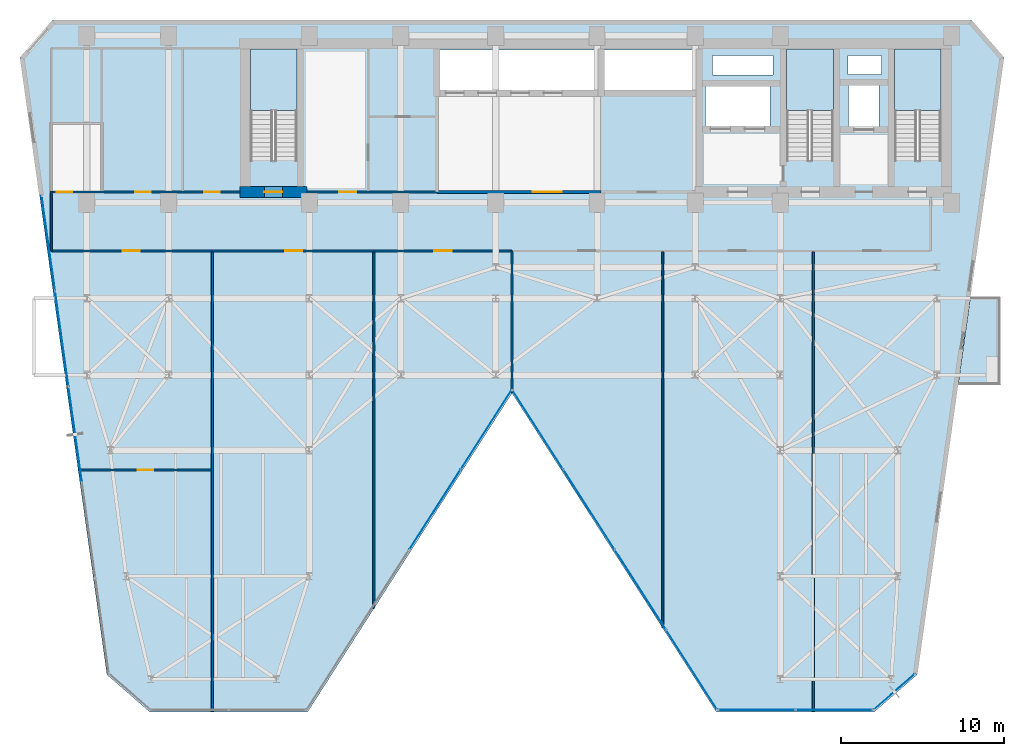
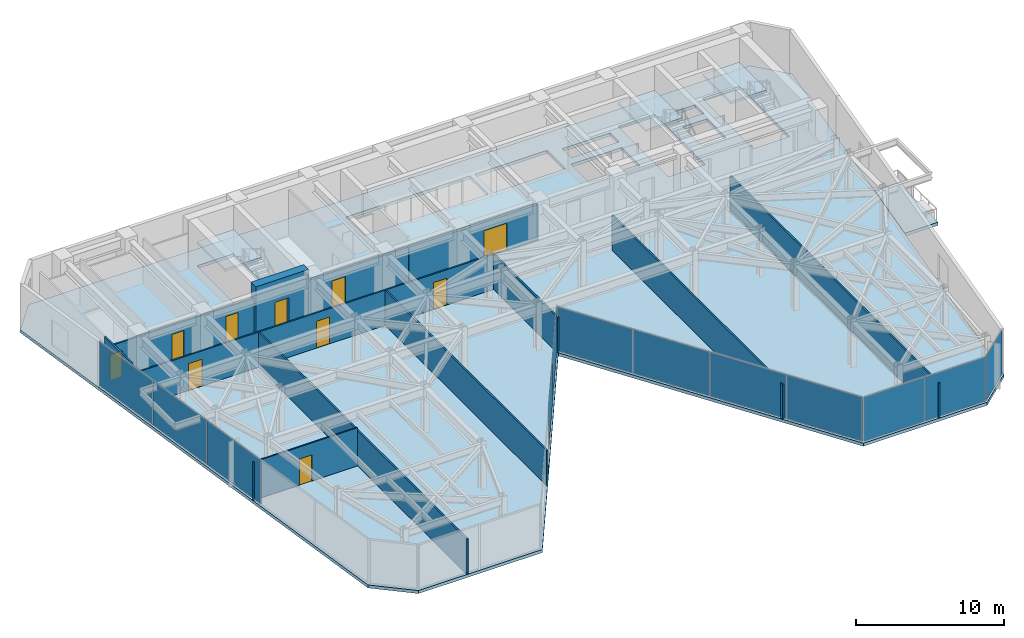
# One storey, part 21 of 26: 12 plates, 12 walls, 10 doors, 5 slabs, 10 openings, 8 elements without a shape of their own.
"""IFC4 building model written with IfcOpenShell, lengths in metres."""

from ifc_helpers import new_model, si_unit, direction, frame, frame_2d, origin, origin_2d, place, context, subcontext, project, spatial, polyline, rectangle, outline, extrude, material, layer, layer_set, type_object, element, fill, aggregate, save


model = new_model("IFC4")

# Units and contexts
model_context = context("Model", 3, precision=1e-05, world=origin(), true_north=direction((0.0, 1.0)))
body_context = subcontext(model_context, "Body", "Model", "MODEL_VIEW")
ifc_project = project(units=[si_unit("LENGTHUNIT", "METRE"), si_unit("AREAUNIT", "SQUARE_METRE"), si_unit("VOLUMEUNIT", "CUBIC_METRE"), si_unit("PLANEANGLEUNIT", "RADIAN"), si_unit("MASSUNIT", "GRAM", prefix="KILO")], contexts=[model_context])

# Site, building, storey
site_placement = place(None, origin())
site = spatial("IfcSite", under=ifc_project, at=site_placement, CompositionType="ELEMENT")
building_placement = place(site_placement, origin())
building = spatial("IfcBuilding", under=site, at=building_placement, Name="Kravanh Interchange Tower", CompositionType="ELEMENT")
storey_placement = place(building_placement, frame((0.0, 0.0, 100.0)))
storey = spatial("IfcBuildingStorey", under=building, at=storey_placement, Name="L23", CompositionType="ELEMENT", Elevation=100.0)

# Slab
ifc_material_1 = material(Name="Concrete C50/60", Category="concrete")
ifc_layer_1 = layer(ifc_material_1, 0.25)
ifc_layer_set_1 = layer_set([ifc_layer_1], Name="Composite Floor Slab Concrete C50/60 250mm")
slab_type_1 = type_object("IfcSlabType", Name="Composite Floor Slab Concrete C50/60 250mm", PredefinedType="FLOOR", material=ifc_layer_set_1)
slab_1_placement = place(storey_placement, frame((0.0, 0.0, -0.25)))
element("IfcSlab", 1, at=slab_1_placement, inside=storey, type_object=slab_type_1, Name="L23 Structural Floor Slab", PredefinedType="FLOOR", context=body_context, shape_type="SweptSolid", body=[
    extrude(outline(polyline([(14.82470703125, 8.4775390625), (17.44482421875, 6.199951171875), (27.10009765625, 6.199951171875), (39.60009765625, 25.699951171875), (52.10009765625, 6.199951171875), (61.755126953125, 6.199951171875), (64.375244140625, 8.4775390625), (69.679931640625, 46.222412109375), (67.699951171875, 48.5), (11.5, 48.5), (9.52001953125, 46.222412109375), (14.82470703125, 8.4775390625)]), holes=[polyline([(65.85009765625, 39.925048828125), (65.85009765625, 46.75), (63.0, 46.75), (63.0, 39.925048828125), (65.85009765625, 39.925048828125)]), polyline([(59.25, 39.925048828125), (59.25, 46.75), (56.39990234375, 46.75), (56.39990234375, 39.925048828125), (59.25, 39.925048828125)]), polyline([(26.449951171875, 39.925048828125), (26.449951171875, 46.75), (23.60009765625, 46.75), (23.60009765625, 39.925048828125), (26.449951171875, 39.925048828125)]), polyline([(35.179931640625, 44.219970703125), (44.840087890625, 44.219970703125), (44.840087890625, 46.699951171875), (35.179931640625, 46.699951171875), (35.179931640625, 44.219970703125)]), polyline([(45.239990234375, 44.219970703125), (50.840087890625, 44.219970703125), (50.840087890625, 46.699951171875), (45.239990234375, 46.699951171875), (45.239990234375, 44.219970703125)]), polyline([(51.419921875, 42.02001953125), (55.3798828125, 42.02001953125), (55.3798828125, 44.47998046875), (51.419921875, 44.47998046875), (51.419921875, 42.02001953125)]), polyline([(60.179931640625, 41.97998046875), (62.06005859375, 41.97998046875), (62.06005859375, 44.52001953125), (60.179931640625, 44.52001953125), (60.179931640625, 41.97998046875)]), polyline([(60.14990234375, 45.199951171875), (62.199951171875, 45.199951171875), (62.199951171875, 46.35009765625), (60.14990234375, 46.35009765625), (60.14990234375, 45.199951171875)]), polyline([(51.85009765625, 45.14990234375), (55.550048828125, 45.14990234375), (55.550048828125, 46.35009765625), (51.85009765625, 46.35009765625), (51.85009765625, 45.14990234375)])]), origin(), (0.0, 0.0, 1.0), 0.25),
])

# Stair, slab
ifc_material_2 = material(Name="Concrete C50/60", Category="concrete")
stair_type = type_object("IfcStairType", Name="Core Fire Exit Dogleg Stair Concrete C50/60", PredefinedType="HALF_TURN_STAIR", material=ifc_material_2)
stair_1_placement = place(storey_placement, origin())
stair_1 = element("IfcStair", 2, at=stair_1_placement, inside=storey, type_object=stair_type, Name="L23 Exit Stair ST1", PredefinedType="HALF_TURN_STAIR")
ifc_material_3 = material(Name="Concrete C50/60", Category="concrete")
ifc_layer_2 = layer(ifc_material_3, 0.199951171875)
ifc_layer_set_2 = layer_set([ifc_layer_2], Name="Concrete C50/60 Stair Half-Landing Slab 200mm")
slab_type_2 = type_object("IfcSlabType", Name="Concrete C50/60 Stair Half-Landing Slab 200mm", PredefinedType="LANDING", material=ifc_layer_set_2)
slab_2_placement = place(storey_placement, frame((0.0, 0.0, 1.800048828125)))
slab_2 = element("IfcSlab", 3, at=slab_2_placement, type_object=slab_type_2, Name="ST1 landing 1", PredefinedType="LANDING", context=body_context, shape_type="SweptSolid", body=[
    extrude(outline(polyline([(65.85009765625, 42.97998046875), (65.85009765625, 46.75), (63.0, 46.75), (63.0, 42.97998046875), (65.85009765625, 42.97998046875)])), origin(), (0.0, 0.0, 1.0), 0.199951171875),
])
aggregate(stair_1, [slab_2])

stair_2_placement = place(storey_placement, origin())
stair_2 = element("IfcStair", 4, at=stair_2_placement, inside=storey, type_object=stair_type, Name="L23 Exit Stair ST2", PredefinedType="HALF_TURN_STAIR")
slab_3_placement = place(storey_placement, frame((0.0, 0.0, 1.800048828125)))
slab_3 = element("IfcSlab", 5, at=slab_3_placement, type_object=slab_type_2, Name="ST2 landing 1", PredefinedType="LANDING", context=body_context, shape_type="SweptSolid", body=[
    extrude(outline(polyline([(59.25, 42.97998046875), (59.25, 46.75), (56.39990234375, 46.75), (56.39990234375, 42.97998046875), (59.25, 42.97998046875)])), origin(), (0.0, 0.0, 1.0), 0.199951171875),
])
aggregate(stair_2, [slab_3])

stair_3_placement = place(storey_placement, origin())
stair_3 = element("IfcStair", 6, at=stair_3_placement, inside=storey, type_object=stair_type, Name="L23 Exit Stair ST3", PredefinedType="HALF_TURN_STAIR")
slab_4_placement = place(storey_placement, frame((0.0, 0.0, 1.800048828125)))
slab_4 = element("IfcSlab", 7, at=slab_4_placement, type_object=slab_type_2, Name="ST3 landing 1", PredefinedType="LANDING", context=body_context, shape_type="SweptSolid", body=[
    extrude(outline(polyline([(26.449951171875, 42.97998046875), (26.449951171875, 46.75), (23.60009765625, 46.75), (23.60009765625, 42.97998046875), (26.449951171875, 42.97998046875)])), origin(), (0.0, 0.0, 1.0), 0.199951171875),
])
aggregate(stair_3, [slab_4])

# Slab
ifc_material_4 = material(Name="Concrete C50/60", Category="concrete")
ifc_layer_3 = layer(ifc_material_4, 0.199951171875)
ifc_layer_set_3 = layer_set([ifc_layer_3], Name="Planted Tree Balcony Slab Concrete C50/60 200mm")
slab_type_3 = type_object("IfcSlabType", Name="Planted Tree Balcony Slab Concrete C50/60 200mm", PredefinedType="USERDEFINED", material=ifc_layer_set_3)
slab_5_placement = place(storey_placement, frame((0.0, 0.0, -0.25)))
element("IfcSlab", 8, at=slab_5_placement, inside=storey, type_object=slab_type_3, Name="L23 East Tree Planter Balcony Slab", ObjectType="BALCONY", PredefinedType="USERDEFINED", context=body_context, shape_type="SweptSolid", body=[
    extrude(outline(polyline([(69.472900390625, 31.590087890625), (69.472900390625, 26.18994140625), (66.879638671875, 26.18994140625), (67.638671875, 31.590087890625), (69.472900390625, 31.590087890625)])), origin(), (0.0, 0.0, 1.0), 0.25),
])

# Curtain wall, plates
ifc_material_5 = material(Name="Anodised Bronze Aluminium", Category="aluminium")
ifc_layer_4 = layer(ifc_material_5, 0.179931640625)
ifc_layer_set_4 = layer_set([ifc_layer_4], Name="Unitised Curtain Wall System CW-Z2 Mid Office")
curtain_wall_type = type_object("IfcCurtainWallType", Name="Unitised Curtain Wall System CW-Z2 Mid Office", PredefinedType="NOTDEFINED", material=ifc_layer_set_4)
curtain_wall_1_placement = place(storey_placement, origin())
curtain_wall_1 = element("IfcCurtainWall", 9, at=curtain_wall_1_placement, inside=storey, type_object=curtain_wall_type, Name="L23 Unitised Curtain Wall CW-L23-01", PredefinedType="NOTDEFINED")
ifc_material_6 = material(Name="Low-E Laminated Architectural Glass", Category="glass")
ifc_layer_5 = layer(ifc_material_6, 0.02587890625)
ifc_layer_set_5 = layer_set([ifc_layer_5], Name="Solar-Control Double Glazing 26mm")
plate_type = type_object("IfcPlateType", Name="Solar-Control Double Glazing 26mm", PredefinedType="CURTAIN_PANEL", material=ifc_layer_set_5)
plate_1_placement = place(storey_placement, frame((12.881103515625, 23.16943359375, 0.06005859375), z_axis=(0.0, 0.0, 1.0), x_axis=(-0.13917285118, 0.990268103846, 0.0)))
plate_1 = element("IfcPlate", 10, at=plate_1_placement, type_object=plate_type, Name="CW-Z2 panel 3.1", PredefinedType="CURTAIN_PANEL", context=body_context, shape_type="SweptSolid", body=[
    extrude(rectangle(XDim=5.849853515625, YDim=0.02587890625, at=origin_2d()), origin(), (0.0, 0.0, 1.0), 3.6298828125),
])
plate_2_placement = place(storey_placement, frame((12.058837890625, 29.021728515625, 0.06005859375), z_axis=(0.0, 0.0, 1.0), x_axis=(-0.13917285118, 0.990268103846, 0.0)))
plate_2 = element("IfcPlate", 11, at=plate_2_placement, type_object=plate_type, Name="CW-Z2 panel 4.1", PredefinedType="CURTAIN_PANEL", context=body_context, shape_type="SweptSolid", body=[
    extrude(rectangle(XDim=5.849853515625, YDim=0.02587890625, at=origin_2d()), origin(), (0.0, 0.0, 1.0), 3.6298828125),
])
plate_3_placement = place(storey_placement, frame((11.23828125, 34.859130859375, 0.06005859375), z_axis=(0.0, 0.0, 1.0), x_axis=(-0.13917285118, 0.990268103846, 0.0)))
plate_3 = element("IfcPlate", 12, at=plate_3_placement, type_object=plate_type, Name="CW-Z2 panel 5.1", PredefinedType="CURTAIN_PANEL", context=body_context, shape_type="SweptSolid", body=[
    extrude(rectangle(XDim=5.81982421875, YDim=0.02587890625, at=origin_2d()), origin(), (0.0, 0.0, 1.0), 3.6298828125),
])
aggregate(curtain_wall_1, [plate_1, plate_2, plate_3])

# Curtain wall, plate
curtain_wall_2_placement = place(storey_placement, origin())
curtain_wall_2 = element("IfcCurtainWall", 13, at=curtain_wall_2_placement, inside=storey, type_object=curtain_wall_type, Name="L23 Unitised Curtain Wall CW-L23-02", PredefinedType="NOTDEFINED")
plate_4_placement = place(storey_placement, frame((62.986328125, 7.429443359375, 0.06005859375), z_axis=(0.0, 0.0, 1.0), x_axis=(-0.754719458103, -0.656047665617, 0.0)))
plate_4 = element("IfcPlate", 14, at=plate_4_placement, type_object=plate_type, Name="CW-Z2 panel 1.1", PredefinedType="CURTAIN_PANEL", context=body_context, shape_type="SweptSolid", body=[
    extrude(rectangle(XDim=3.261962890625, YDim=0.02587890625, at=origin_2d()), origin(), (0.0, 0.0, 1.0), 3.6298828125),
])
aggregate(curtain_wall_2, [plate_4])

# Curtain wall, plates
curtain_wall_3_placement = place(storey_placement, origin())
curtain_wall_3 = element("IfcCurtainWall", 15, at=curtain_wall_3_placement, inside=storey, type_object=curtain_wall_type, Name="L23 Unitised Curtain Wall CW-L23-03", PredefinedType="NOTDEFINED")
plate_5_placement = place(storey_placement, frame((59.30908203125, 6.320068359375, 0.06005859375), z_axis=(0.0, 0.0, 1.0), x_axis=(-1.0, 0.0, 0.0)))
plate_5 = element("IfcPlate", 16, at=plate_5_placement, type_object=plate_type, Name="CW-Z2 panel 1.1", PredefinedType="CURTAIN_PANEL", context=body_context, shape_type="SweptSolid", body=[
    extrude(rectangle(XDim=4.682373046875, YDim=0.02587890625, at=origin_2d()), origin(), (0.0, 0.0, 1.0), 3.6298828125),
])
plate_6_placement = place(storey_placement, frame((54.566650390625, 6.320068359375, 0.06005859375), z_axis=(0.0, 0.0, 1.0), x_axis=(-1.0, 0.0, 0.0)))
plate_6 = element("IfcPlate", 17, at=plate_6_placement, type_object=plate_type, Name="CW-Z2 panel 2.1", PredefinedType="CURTAIN_PANEL", context=body_context, shape_type="SweptSolid", body=[
    extrude(rectangle(XDim=4.682373046875, YDim=0.02587890625, at=origin_2d()), origin(), (0.0, 0.0, 1.0), 3.6298828125),
])
aggregate(curtain_wall_3, [plate_5, plate_6])

curtain_wall_4_placement = place(storey_placement, origin())
curtain_wall_4 = element("IfcCurtainWall", 18, at=curtain_wall_4_placement, inside=storey, type_object=curtain_wall_type, Name="L23 Unitised Curtain Wall CW-L23-04", PredefinedType="NOTDEFINED")
plate_7_placement = place(storey_placement, frame((50.5869140625, 8.782958984375, 0.06005859375), z_axis=(0.0, 0.0, 1.0), x_axis=(-0.539664865919, 0.841879939476, 0.0)))
plate_7 = element("IfcPlate", 19, at=plate_7_placement, type_object=plate_type, Name="CW-Z2 panel 1.1", PredefinedType="CURTAIN_PANEL", context=body_context, shape_type="SweptSolid", body=[
    extrude(rectangle(XDim=5.73095703125, YDim=0.02587890625, at=origin_2d()), origin(), (0.0, 0.0, 1.0), 3.6298828125),
])
plate_8_placement = place(storey_placement, frame((47.45361328125, 13.6708984375, 0.06005859375), z_axis=(0.0, 0.0, 1.0), x_axis=(-0.539664865919, 0.841879939476, 0.0)))
plate_8 = element("IfcPlate", 20, at=plate_8_placement, type_object=plate_type, Name="CW-Z2 panel 2.1", PredefinedType="CURTAIN_PANEL", context=body_context, shape_type="SweptSolid", body=[
    extrude(rectangle(XDim=5.760986328125, YDim=0.02587890625, at=origin_2d()), origin(), (0.0, 0.0, 1.0), 3.6298828125),
])
plate_9_placement = place(storey_placement, frame((44.31201171875, 18.571533203125, 0.06005859375), z_axis=(0.0, 0.0, 1.0), x_axis=(-0.539664865919, 0.841879939476, 0.0)))
plate_9 = element("IfcPlate", 21, at=plate_9_placement, type_object=plate_type, Name="CW-Z2 panel 3.1", PredefinedType="CURTAIN_PANEL", context=body_context, shape_type="SweptSolid", body=[
    extrude(rectangle(XDim=5.760986328125, YDim=0.02587890625, at=origin_2d()), origin(), (0.0, 0.0, 1.0), 3.6298828125),
])
plate_10_placement = place(storey_placement, frame((41.1787109375, 23.45947265625, 0.06005859375), z_axis=(0.0, 0.0, 1.0), x_axis=(-0.539664865919, 0.841879939476, 0.0)))
plate_10 = element("IfcPlate", 22, at=plate_10_placement, type_object=plate_type, Name="CW-Z2 panel 4.1", PredefinedType="CURTAIN_PANEL", context=body_context, shape_type="SweptSolid", body=[
    extrude(rectangle(XDim=5.73095703125, YDim=0.02587890625, at=origin_2d()), origin(), (0.0, 0.0, 1.0), 3.6298828125),
])
aggregate(curtain_wall_4, [plate_7, plate_8, plate_9, plate_10])

curtain_wall_5_placement = place(storey_placement, origin())
curtain_wall_5 = element("IfcCurtainWall", 23, at=curtain_wall_5_placement, inside=storey, type_object=curtain_wall_type, Name="L23 Unitised Curtain Wall CW-L23-05", PredefinedType="NOTDEFINED")
plate_11_placement = place(storey_placement, frame((38.021240234375, 23.45947265625, 0.06005859375), z_axis=(0.0, 0.0, 1.0), x_axis=(-0.539664865919, -0.841879939476, 0.0)))
plate_11 = element("IfcPlate", 24, at=plate_11_placement, type_object=plate_type, Name="CW-Z2 panel 1.1", PredefinedType="CURTAIN_PANEL", context=body_context, shape_type="SweptSolid", body=[
    extrude(rectangle(XDim=5.73095703125, YDim=0.02587890625, at=origin_2d()), origin(), (0.0, 0.0, 1.0), 3.6298828125),
])
plate_12_placement = place(storey_placement, frame((34.887939453125, 18.571533203125, 0.06005859375), z_axis=(0.0, 0.0, 1.0), x_axis=(-0.539664865919, -0.841879939476, 0.0)))
plate_12 = element("IfcPlate", 25, at=plate_12_placement, type_object=plate_type, Name="CW-Z2 panel 2.1", PredefinedType="CURTAIN_PANEL", context=body_context, shape_type="SweptSolid", body=[
    extrude(rectangle(XDim=5.760986328125, YDim=0.02587890625, at=origin_2d()), origin(), (0.0, 0.0, 1.0), 3.6298828125),
])
aggregate(curtain_wall_5, [plate_11, plate_12])

# Wall, openings, doors
ifc_material_7 = material(Name="Double Acoustic Gypsum Board and Mineral Wool")
ifc_layer_6 = layer(ifc_material_7, 0.1201171875)
ifc_layer_set_6 = layer_set([ifc_layer_6], Name="Acoustic Office Drywall Partition 120mm")
wall_type_1 = type_object("IfcWallType", Name="Acoustic Office Drywall Partition 120mm", PredefinedType="PARTITIONING", material=ifc_layer_set_6)
wall_1_placement = place(storey_placement, frame((11.419921875, 38.0, 0.0), z_axis=(0.0, 0.0, 1.0), x_axis=(1.0, 0.0, 0.0)))
wall_1 = element("IfcWall", 26, at=wall_1_placement, inside=storey, type_object=wall_type_1, Name="L23 Restroom Corridor Wall 7", PredefinedType="PARTITIONING", context=body_context, shape_type="SweptSolid", body=[
    extrude(rectangle(XDim=11.530029296875, YDim=0.1201171875, at=frame_2d((5.76513671875, 0.0))), origin(), (0.0, 0.0, 1.0), 2.89404296875),
])
opening_1_placement = place(wall_1_placement, frame((0.3427734375, 0.0, 0.0)))
opening_1 = element("IfcOpeningElement", 27, at=opening_1_placement, cuts=wall_1, Name="Opening D-95", PredefinedType="OPENING", context=body_context, shape_type="SweptSolid", body=[
    extrude(rectangle(XDim=0.949951171875, YDim=2.14990234375, at=frame_2d((0.47509765625, 1.074951171875))), frame((0.0, 0.070068359375, 0.0), z_axis=(0.0, -1.0, 0.0), x_axis=(1.0, 0.0, 0.0)), (0.0, 0.0, 1.0), 0.14013671875),
])
opening_2_placement = place(wall_1_placement, frame((5.130126953125, 0.0, 0.0)))
opening_2 = element("IfcOpeningElement", 28, at=opening_2_placement, cuts=wall_1, Name="Opening D-95", PredefinedType="OPENING", context=body_context, shape_type="SweptSolid", body=[
    extrude(rectangle(XDim=0.949951171875, YDim=2.14990234375, at=frame_2d((0.47509765625, 1.074951171875))), frame((0.0, 0.070068359375, 0.0), z_axis=(0.0, -1.0, 0.0), x_axis=(1.0, 0.0, 0.0)), (0.0, 0.0, 1.0), 0.14013671875),
])
opening_3_placement = place(wall_1_placement, frame((9.344970703125, 0.0, 0.0)))
opening_3 = element("IfcOpeningElement", 29, at=opening_3_placement, cuts=wall_1, Name="Opening D-95", PredefinedType="OPENING", context=body_context, shape_type="SweptSolid", body=[
    extrude(rectangle(XDim=0.949951171875, YDim=2.14990234375, at=frame_2d((0.47509765625, 1.074951171875))), frame((0.0, 0.070068359375, 0.0), z_axis=(0.0, -1.0, 0.0), x_axis=(1.0, 0.0, 0.0)), (0.0, 0.0, 1.0), 0.14013671875),
])
ifc_material_8 = material(Name="Laminate Solid-Core Timber", Category="wood")
door_type_1 = type_object("IfcDoorType", Name="Accessible Restroom Door 950x2150", OperationType="NOTDEFINED", PredefinedType="DOOR", material=ifc_material_8)
door_1_placement = place(opening_1_placement, origin())
door_1 = element("IfcDoor", 30, at=door_1_placement, inside=storey, type_object=door_type_1, Name="L23 Accessible WC Door", OperationType="SINGLE_SWING_RIGHT", OverallHeight=2.14990234375, OverallWidth=0.949951171875, PredefinedType="DOOR", context=body_context, shape_type="SweptSolid", body=[
    extrude(rectangle(XDim=0.949951171875, YDim=2.14990234375, at=frame_2d((0.47509765625, 1.074951171875))), frame((0.0, 0.02490234375, 0.0), z_axis=(0.0, -1.0, 0.0), x_axis=(1.0, 0.0, 0.0)), (0.0, 0.0, 1.0), 0.050048828125),
])
fill(opening_1, door_1)
door_2_placement = place(opening_2_placement, origin())
door_2 = element("IfcDoor", 31, at=door_2_placement, inside=storey, type_object=door_type_1, Name="L23 Female WC Door", OperationType="SINGLE_SWING_LEFT", OverallHeight=2.14990234375, OverallWidth=0.949951171875, PredefinedType="DOOR", context=body_context, shape_type="SweptSolid", body=[
    extrude(rectangle(XDim=0.949951171875, YDim=2.14990234375, at=frame_2d((0.47509765625, 1.074951171875))), frame((0.0, 0.02490234375, 0.0), z_axis=(0.0, -1.0, 0.0), x_axis=(1.0, 0.0, 0.0)), (0.0, 0.0, 1.0), 0.050048828125),
])
fill(opening_2, door_2)
door_3_placement = place(opening_3_placement, origin())
door_3 = element("IfcDoor", 32, at=door_3_placement, inside=storey, type_object=door_type_1, Name="L23 Male WC Door", OperationType="SINGLE_SWING_RIGHT", OverallHeight=2.14990234375, OverallWidth=0.949951171875, PredefinedType="DOOR", context=body_context, shape_type="SweptSolid", body=[
    extrude(rectangle(XDim=0.949951171875, YDim=2.14990234375, at=frame_2d((0.47509765625, 1.074951171875))), frame((0.0, 0.02490234375, 0.0), z_axis=(0.0, -1.0, 0.0), x_axis=(1.0, 0.0, 0.0)), (0.0, 0.0, 1.0), 0.050048828125),
])
fill(opening_3, door_3)

wall_2_placement = place(storey_placement, frame((11.419921875, 34.39990234375, 0.0), z_axis=(0.0, 0.0, 1.0), x_axis=(1.0, 0.0, 0.0)))
wall_2 = element("IfcWall", 33, at=wall_2_placement, inside=storey, type_object=wall_type_1, Name="L23 Interior Partition 13", PredefinedType="PARTITIONING", context=body_context, shape_type="SweptSolid", body=[
    extrude(rectangle(XDim=28.18017578125, YDim=0.1201171875, at=frame_2d((14.090087890625, 0.0))), origin(), (0.0, 0.0, 1.0), 2.89404296875),
])
opening_4_placement = place(wall_2_placement, frame((4.36474609375, 0.0, 0.0)))
opening_4 = element("IfcOpeningElement", 34, at=opening_4_placement, cuts=wall_2, Name="Opening D-105", PredefinedType="OPENING", context=body_context, shape_type="SweptSolid", body=[
    extrude(rectangle(XDim=1.050048828125, YDim=2.199951171875, at=frame_2d((0.52490234375, 1.10009765625))), frame((0.0, 0.070068359375, 0.0), z_axis=(0.0, -1.0, 0.0), x_axis=(1.0, 0.0, 0.0)), (0.0, 0.0, 1.0), 0.14013671875),
])
opening_5_placement = place(wall_2_placement, frame((14.310302734375, 0.0, 0.0)))
opening_5 = element("IfcOpeningElement", 35, at=opening_5_placement, cuts=wall_2, Name="Opening D-105", PredefinedType="OPENING", context=body_context, shape_type="SweptSolid", body=[
    extrude(rectangle(XDim=1.050048828125, YDim=2.199951171875, at=frame_2d((0.52490234375, 1.10009765625))), frame((0.0, 0.070068359375, 0.0), z_axis=(0.0, -1.0, 0.0), x_axis=(1.0, 0.0, 0.0)), (0.0, 0.0, 1.0), 0.14013671875),
])
opening_6_placement = place(wall_2_placement, frame((23.429931640625, 0.0, 0.0)))
opening_6 = element("IfcOpeningElement", 36, at=opening_6_placement, cuts=wall_2, Name="Opening D-105", PredefinedType="OPENING", context=body_context, shape_type="SweptSolid", body=[
    extrude(rectangle(XDim=1.050048828125, YDim=2.199951171875, at=frame_2d((0.52490234375, 1.10009765625))), frame((0.0, 0.070068359375, 0.0), z_axis=(0.0, -1.0, 0.0), x_axis=(1.0, 0.0, 0.0)), (0.0, 0.0, 1.0), 0.14013671875),
])
ifc_material_9 = material(Name="Acoustic Glazed Oak and Aluminium", Category="aluminium")
door_type_2 = type_object("IfcDoorType", Name="Office Workplace Door 1050x2200", OperationType="NOTDEFINED", PredefinedType="DOOR", material=ifc_material_9)
door_4_placement = place(opening_4_placement, origin())
door_4 = element("IfcDoor", 37, at=door_4_placement, inside=storey, type_object=door_type_2, Name="L23 West Partner Office Door", OperationType="SINGLE_SWING_LEFT", OverallHeight=2.199951171875, OverallWidth=1.050048828125, PredefinedType="DOOR", context=body_context, shape_type="SweptSolid", body=[
    extrude(rectangle(XDim=1.050048828125, YDim=2.199951171875, at=frame_2d((0.52490234375, 1.10009765625))), frame((0.0, 0.02490234375, 0.0), z_axis=(0.0, -1.0, 0.0), x_axis=(1.0, 0.0, 0.0)), (0.0, 0.0, 1.0), 0.050048828125),
])
fill(opening_4, door_4)
door_5_placement = place(opening_5_placement, origin())
door_5 = element("IfcDoor", 38, at=door_5_placement, inside=storey, type_object=door_type_2, Name="L23 West Associates Office Door", OperationType="SINGLE_SWING_LEFT", OverallHeight=2.199951171875, OverallWidth=1.050048828125, PredefinedType="DOOR", context=body_context, shape_type="SweptSolid", body=[
    extrude(rectangle(XDim=1.050048828125, YDim=2.199951171875, at=frame_2d((0.52490234375, 1.10009765625))), frame((0.0, 0.02490234375, 0.0), z_axis=(0.0, -1.0, 0.0), x_axis=(1.0, 0.0, 0.0)), (0.0, 0.0, 1.0), 0.050048828125),
])
fill(opening_5, door_5)
door_6_placement = place(opening_6_placement, origin())
door_6 = element("IfcDoor", 39, at=door_6_placement, inside=storey, type_object=door_type_2, Name="L23 Notch View Office Door", OperationType="SINGLE_SWING_RIGHT", OverallHeight=2.199951171875, OverallWidth=1.050048828125, PredefinedType="DOOR", context=body_context, shape_type="SweptSolid", body=[
    extrude(rectangle(XDim=1.050048828125, YDim=2.199951171875, at=frame_2d((0.52490234375, 1.10009765625))), frame((0.0, 0.02490234375, 0.0), z_axis=(0.0, -1.0, 0.0), x_axis=(1.0, 0.0, 0.0)), (0.0, 0.0, 1.0), 0.050048828125),
])
fill(opening_6, door_6)

# Walls
wall_3_placement = place(storey_placement, frame((11.419921875, 34.39990234375, 0.0), z_axis=(0.0, 0.0, 1.0), x_axis=(0.0, 1.0, 0.0)))
element("IfcWall", 40, at=wall_3_placement, inside=storey, type_object=wall_type_1, Name="L23 Interior Partition 15", PredefinedType="PARTITIONING", context=body_context, shape_type="SweptSolid", body=[
    extrude(rectangle(XDim=3.650146484375, YDim=0.1201171875, at=frame_2d((1.8251953125, 0.0))), origin(), (0.0, 0.0, 1.0), 3.75),
])
wall_4_placement = place(storey_placement, frame((39.60009765625, 25.727783203125, 0.0), z_axis=(0.0, 0.0, 1.0), x_axis=(0.0, 1.0, 0.0)))
element("IfcWall", 41, at=wall_4_placement, inside=storey, type_object=wall_type_1, Name="L23 Interior Partition 17", PredefinedType="PARTITIONING", context=body_context, shape_type="SweptSolid", body=[
    extrude(rectangle(XDim=8.672119140625, YDim=0.1201171875, at=frame_2d((4.3359375, 0.0))), origin(), (0.0, 0.0, 1.0), 2.89404296875),
])
wall_5_placement = place(storey_placement, frame((21.280029296875, 6.215087890625, 0.0), z_axis=(0.0, 0.0, 1.0), x_axis=(0.0, 1.0, 0.0)))
element("IfcWall", 42, at=wall_5_placement, inside=storey, type_object=wall_type_1, Name="L23 Interior Partition 19", PredefinedType="PARTITIONING", context=body_context, shape_type="SweptSolid", body=[
    extrude(rectangle(XDim=28.116943359375, YDim=0.1201171875, at=frame_2d((14.05859375, 0.0))), origin(), (0.0, 0.0, 1.0), 2.89404296875),
])
wall_6_placement = place(storey_placement, frame((31.14990234375, 12.5458984375, 0.0), z_axis=(0.0, 0.0, 1.0), x_axis=(0.0, 1.0, 0.0)))
element("IfcWall", 43, at=wall_6_placement, inside=storey, type_object=wall_type_1, Name="L23 Interior Partition 20", PredefinedType="PARTITIONING", context=body_context, shape_type="SweptSolid", body=[
    extrude(rectangle(XDim=21.7861328125, YDim=0.1201171875, at=frame_2d((10.89306640625, 0.0))), origin(), (0.0, 0.0, 1.0), 2.89404296875),
])
wall_7_placement = place(storey_placement, frame((48.820068359375, 11.344482421875, 0.0), z_axis=(0.0, 0.0, 1.0), x_axis=(0.0, 1.0, 0.0)))
element("IfcWall", 44, at=wall_7_placement, inside=storey, type_object=wall_type_1, Name="L23 Interior Partition 21", PredefinedType="PARTITIONING", context=body_context, shape_type="SweptSolid", body=[
    extrude(rectangle(XDim=22.987548828125, YDim=0.1201171875, at=frame_2d((11.49365234375, 0.0))), origin(), (0.0, 0.0, 1.0), 2.89404296875),
])
wall_8_placement = place(storey_placement, frame((58.030029296875, 6.215087890625, 0.0), z_axis=(0.0, 0.0, 1.0), x_axis=(0.0, 1.0, 0.0)))
element("IfcWall", 45, at=wall_8_placement, inside=storey, type_object=wall_type_1, Name="L23 Interior Partition 22", PredefinedType="PARTITIONING", context=body_context, shape_type="SweptSolid", body=[
    extrude(rectangle(XDim=28.116943359375, YDim=0.1201171875, at=frame_2d((14.05859375, 0.0))), origin(), (0.0, 0.0, 1.0), 2.89404296875),
])

# Wall, opening, door
ifc_material_10 = material(Name="Concrete C70/85", Category="concrete")
ifc_layer_7 = layer(ifc_material_10, 0.64990234375)
ifc_layer_set_7 = layer_set([ifc_layer_7], Name="Core Shear Wall Concrete C70/85 650mm")
wall_type_2 = type_object("IfcWallType", Name="Core Shear Wall Concrete C70/85 650mm", PredefinedType="SHEAR", material=ifc_layer_set_7)
wall_9_placement = place(storey_placement, frame((22.949951171875, 38.0, 0.0), z_axis=(0.0, 0.0, 1.0), x_axis=(1.0, 0.0, 0.0)))
wall_9 = element("IfcWall", 46, at=wall_9_placement, inside=storey, type_object=wall_type_2, Name="L23 Stair ST3 South Shear Wall", PredefinedType="SHEAR", context=body_context, shape_type="SweptSolid", body=[
    extrude(rectangle(XDim=4.10009765625, YDim=0.64990234375, at=frame_2d((2.050048828125, 0.0))), origin(), (0.0, 0.0, 1.0), 4.0),
])
opening_7_placement = place(wall_9_placement, frame((1.5, 0.0, 0.0)))
opening_7 = element("IfcOpeningElement", 47, at=opening_7_placement, cuts=wall_9, Name="Opening D-STAIR-110", PredefinedType="OPENING", context=body_context, shape_type="SweptSolid", body=[
    extrude(rectangle(XDim=1.10009765625, YDim=2.199951171875, at=frame_2d((0.550048828125, 1.10009765625))), frame((0.0, 0.3349609375, 0.0), z_axis=(0.0, -1.0, 0.0), x_axis=(1.0, 0.0, 0.0)), (0.0, 0.0, 1.0), 0.669921875),
])
ifc_material_11 = material(Name="Structural Steel S355", Category="steel")
door_type_3 = type_object("IfcDoorType", Name="Fire-Rated Exit Stair Door 1100x2200", OperationType="NOTDEFINED", PredefinedType="DOOR", material=ifc_material_11)
door_7_placement = place(opening_7_placement, origin())
door_7 = element("IfcDoor", 48, at=door_7_placement, inside=storey, type_object=door_type_3, Name="L23 Exit Stair ST3 Door", OperationType="SINGLE_SWING_RIGHT", OverallHeight=2.199951171875, OverallWidth=1.10009765625, PredefinedType="DOOR", context=body_context, shape_type="SweptSolid", body=[
    extrude(rectangle(XDim=1.10009765625, YDim=2.199951171875, at=frame_2d((0.550048828125, 1.10009765625))), frame((0.0, 0.02490234375, 0.0), z_axis=(0.0, -1.0, 0.0), x_axis=(1.0, 0.0, 0.0)), (0.0, 0.0, 1.0), 0.050048828125),
])
fill(opening_7, door_7)

ifc_material_12 = material(Name="Moisture-Resistant Gypsum Board and Mineral Wool")
ifc_layer_8 = layer(ifc_material_12, 0.10009765625)
ifc_layer_set_8 = layer_set([ifc_layer_8], Name="En-Suite Moisture-Resistant Partition 100mm")
wall_type_3 = type_object("IfcWallType", Name="En-Suite Moisture-Resistant Partition 100mm", PredefinedType="PARTITIONING", material=ifc_layer_set_8)
wall_10_placement = place(storey_placement, frame((13.080078125, 21.0, 0.0), z_axis=(0.0, 0.0, 1.0), x_axis=(1.0, 0.0, 0.0)))
wall_10 = element("IfcWall", 49, at=wall_10_placement, inside=storey, type_object=wall_type_3, Name="L23 Interior Partition 18", PredefinedType="PARTITIONING", context=body_context, shape_type="SweptSolid", body=[
    extrude(rectangle(XDim=8.1318359375, YDim=0.10009765625, at=frame_2d((4.06591796875, 0.0))), origin(), (0.0, 0.0, 1.0), 3.14208984375),
])
opening_8_placement = place(wall_10_placement, frame((3.625, 0.0, 0.0)))
opening_8 = element("IfcOpeningElement", 50, at=opening_8_placement, cuts=wall_10, Name="Opening D-95", PredefinedType="OPENING", context=body_context, shape_type="SweptSolid", body=[
    extrude(rectangle(XDim=0.949951171875, YDim=2.14990234375, at=frame_2d((0.47509765625, 1.074951171875))), frame((0.0, 0.06005859375, 0.0), z_axis=(0.0, -1.0, 0.0), x_axis=(1.0, 0.0, 0.0)), (0.0, 0.0, 1.0), 0.1201171875),
])
door_8_placement = place(opening_8_placement, origin())
door_8 = element("IfcDoor", 51, at=door_8_placement, inside=storey, type_object=door_type_1, Name="L23 SW Corner Office Inner Door", OperationType="SINGLE_SWING_RIGHT", OverallHeight=2.14990234375, OverallWidth=0.949951171875, PredefinedType="DOOR", context=body_context, shape_type="SweptSolid", body=[
    extrude(rectangle(XDim=0.949951171875, YDim=2.14990234375, at=frame_2d((0.47509765625, 1.074951171875))), frame((0.0, 0.02490234375, 0.0), z_axis=(0.0, -1.0, 0.0), x_axis=(1.0, 0.0, 0.0)), (0.0, 0.0, 1.0), 0.050048828125),
])
fill(opening_8, door_8)

ifc_material_13 = material(Name="Autoclaved Aerated Concrete C30/37 Blockwork", Category="masonry")
ifc_layer_9 = layer(ifc_material_13, 0.179931640625)
ifc_layer_set_9 = layer_set([ifc_layer_9], Name="Fire-Rated Lobby and Corridor Wall Concrete C30/37 180mm")
wall_type_4 = type_object("IfcWallType", Name="Fire-Rated Lobby and Corridor Wall Concrete C30/37 180mm", PredefinedType="STANDARD", material=ifc_layer_set_9)
wall_11_placement = place(storey_placement, frame((35.0, 38.0, 0.0), z_axis=(0.0, 0.0, 1.0), x_axis=(1.0, 0.0, 0.0)))
wall_11 = element("IfcWall", 52, at=wall_11_placement, inside=storey, type_object=wall_type_4, Name="L23 Interior Partition 6", PredefinedType="STANDARD", context=body_context, shape_type="SweptSolid", body=[
    extrude(rectangle(XDim=10.050048828125, YDim=0.179931640625, at=frame_2d((5.02490234375, 0.0))), origin(), (0.0, 0.0, 1.0), 2.89404296875),
])
opening_9_placement = place(wall_11_placement, frame((5.85791015625, 0.0, 0.0)))
opening_9 = element("IfcOpeningElement", 53, at=opening_9_placement, cuts=wall_11, Name="Opening DBL-180", PredefinedType="OPENING", context=body_context, shape_type="SweptSolid", body=[
    extrude(rectangle(XDim=1.800048828125, YDim=2.199951171875, at=frame_2d((0.89990234375, 1.10009765625))), frame((0.0, 0.10009765625, 0.0), z_axis=(0.0, -1.0, 0.0), x_axis=(1.0, 0.0, 0.0)), (0.0, 0.0, 1.0), 0.199951171875),
])
ifc_material_14 = material(Name="Structural Steel S355", Category="steel")
door_type_4 = type_object("IfcDoorType", Name="Lift Lobby Double Fire Door 1800x2200", OperationType="DOUBLE_DOOR_SINGLE_SWING", PredefinedType="DOOR", material=ifc_material_14)
door_9_placement = place(opening_9_placement, origin())
door_9 = element("IfcDoor", 54, at=door_9_placement, inside=storey, type_object=door_type_4, Name="L23 Mid-Rise Lift Lobby Door", OperationType="DOUBLE_DOOR_SINGLE_SWING", OverallHeight=2.199951171875, OverallWidth=1.800048828125, PredefinedType="DOOR", context=body_context, shape_type="SweptSolid", body=[
    extrude(rectangle(XDim=1.800048828125, YDim=2.199951171875, at=frame_2d((0.89990234375, 1.10009765625))), frame((0.0, 0.02490234375, 0.0), z_axis=(0.0, -1.0, 0.0), x_axis=(1.0, 0.0, 0.0)), (0.0, 0.0, 1.0), 0.050048828125),
])
fill(opening_9, door_9)

ifc_material_15 = material(Name="Twin Stud Acoustic Gypsum Board Wall")
ifc_layer_10 = layer(ifc_material_15, 0.14990234375)
ifc_layer_set_10 = layer_set([ifc_layer_10], Name="Medium-Duty Acoustic Partition 150mm")
wall_type_5 = type_object("IfcWallType", Name="Medium-Duty Acoustic Partition 150mm", PredefinedType="PARTITIONING", material=ifc_layer_set_10)
wall_12_placement = place(storey_placement, frame((27.050048828125, 38.0, 0.0), z_axis=(0.0, 0.0, 1.0), x_axis=(1.0, 0.0, 0.0)))
wall_12 = element("IfcWall", 55, at=wall_12_placement, inside=storey, type_object=wall_type_5, Name="L23 Interior Partition 2", PredefinedType="PARTITIONING", context=body_context, shape_type="SweptSolid", body=[
    extrude(rectangle(XDim=7.949951171875, YDim=0.14990234375, at=frame_2d((3.97509765625, 0.0))), origin(), (0.0, 0.0, 1.0), 2.89404296875),
])
opening_10_placement = place(wall_12_placement, frame((1.984619140625, 0.0, 0.0)))
opening_10 = element("IfcOpeningElement", 56, at=opening_10_placement, cuts=wall_12, Name="Opening D-105", PredefinedType="OPENING", context=body_context, shape_type="SweptSolid", body=[
    extrude(rectangle(XDim=1.050048828125, YDim=2.199951171875, at=frame_2d((0.52490234375, 1.10009765625))), frame((0.0, 0.0849609375, 0.0), z_axis=(0.0, -1.0, 0.0), x_axis=(1.0, 0.0, 0.0)), (0.0, 0.0, 1.0), 0.169921875),
])
door_10_placement = place(opening_10_placement, origin())
door_10 = element("IfcDoor", 57, at=door_10_placement, inside=storey, type_object=door_type_2, Name="L23 Staff Coffee Room Door", OperationType="SINGLE_SWING_LEFT", OverallHeight=2.199951171875, OverallWidth=1.050048828125, PredefinedType="DOOR", context=body_context, shape_type="SweptSolid", body=[
    extrude(rectangle(XDim=1.050048828125, YDim=2.199951171875, at=frame_2d((0.52490234375, 1.10009765625))), frame((0.0, 0.02490234375, 0.0), z_axis=(0.0, -1.0, 0.0), x_axis=(1.0, 0.0, 0.0)), (0.0, 0.0, 1.0), 0.050048828125),
])
fill(opening_10, door_10)

save(model, "model.ifc")
